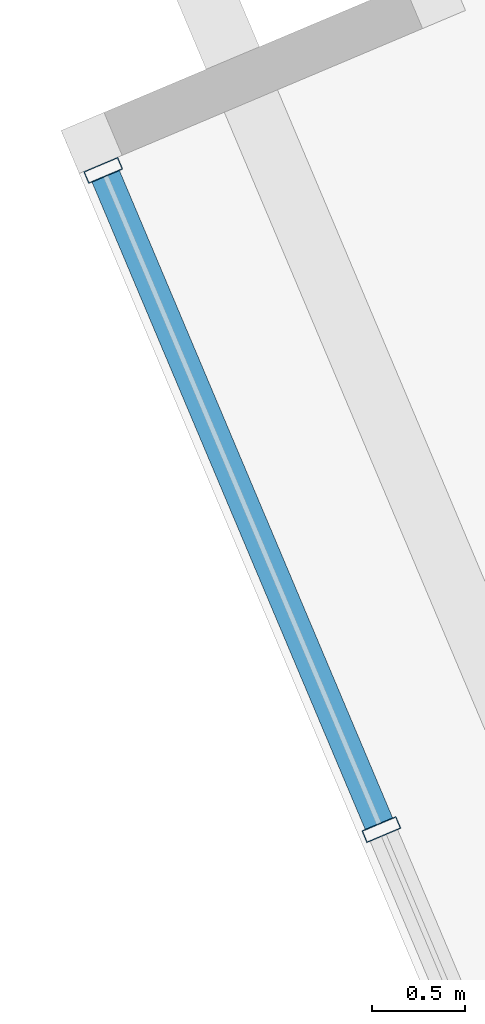
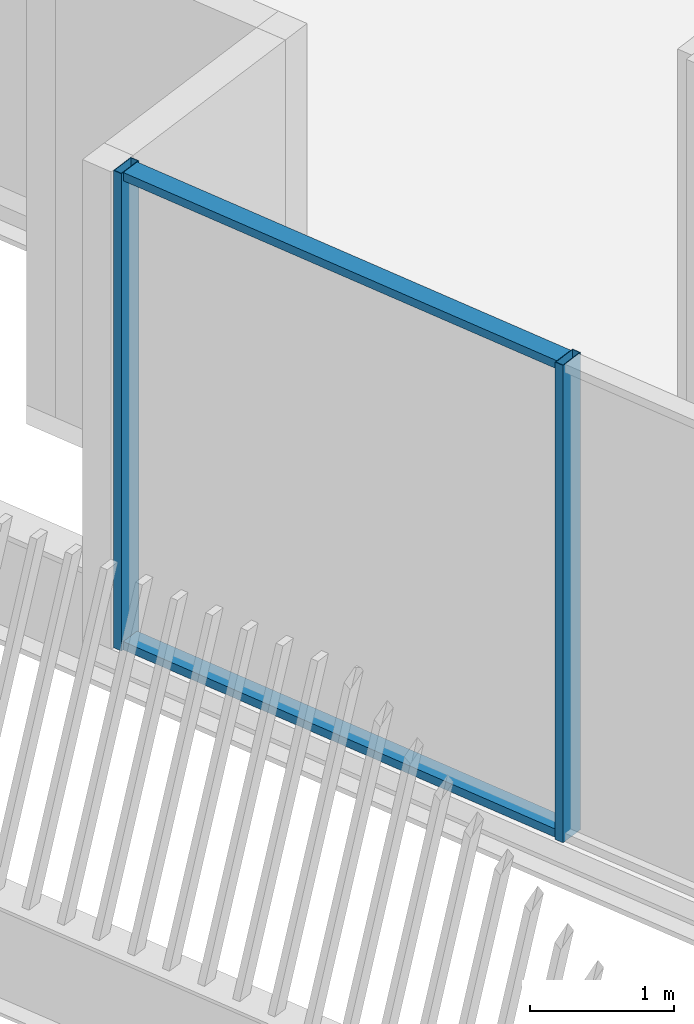
# One storey, part 6 of 35: 4 members, 1 element without a shape of its own.
"""IFC4 building model written with IfcOpenShell, lengths in metres."""

import ifcopenshell
import ifcopenshell.guid

model = None  # the IFC model being written
_history = None  # IfcOwnerHistory: only IFC2X3 demands one
_inside = {}  # id of a spatial element -> (the spatial element, [elements in it])
_under = {}  # id of a project, library or spatial element -> (it, [spatial elements below it])
_declared = {}  # id of a project -> (the project, [libraries it declares])
_typed = {}  # id of a type object -> (the type object, [elements of that type])
_made_of = {}  # id of a material, layer set ... -> (it, [elements and type objects made of it])


def new_model(schema):
    """Start an empty IFC model of exactly this schema.

    Asked for "IFC4X3", IfcOpenShell would pick the latest addendum, in which some entities
    have other attributes; the version numbers below select the first issue.
    IFC2X3 requires an IfcOwnerHistory on every rooted entity: one is made here for all.
    """
    global model, _history
    if schema == "IFC4X3":
        model = ifcopenshell.file(schema_version=(4, 3, 0, 0))
    else:
        model = ifcopenshell.file(schema=schema)
    _inside.clear()
    _under.clear()
    _declared.clear()
    _typed.clear()
    _made_of.clear()
    _history = None
    if model.schema == "IFC2X3":
        org = make("IfcOrganization", Name="unknown")
        user = make(
            "IfcPersonAndOrganization",
            ThePerson=make("IfcPerson", FamilyName="unknown"),
            TheOrganization=org,
        )
        app = make(
            "IfcApplication",
            ApplicationDeveloper=org,
            Version="unknown",
            ApplicationFullName="unknown",
            ApplicationIdentifier="unknown",
        )
        _history = make(
            "IfcOwnerHistory",
            OwningUser=user,
            OwningApplication=app,
            ChangeAction="ADDED",
            CreationDate=0,
        )
    return model


def make(cls, **values):
    """One entity of the class cls with the attributes given. An attribute that is None is left unset."""
    return model.create_entity(
        cls, **{name: value for name, value in values.items() if value is not None}
    )


def rooted(cls, **values):
    """An entity with a GlobalId (a new one), such as an element, a storey or a relation."""
    return make(cls, GlobalId=ifcopenshell.guid.new(), OwnerHistory=_history, **values)


def si_unit(unit_type, name, prefix=None):
    """IfcSIUnit, for example si_unit("LENGTHUNIT", "METRE", prefix="MILLI")."""
    return make("IfcSIUnit", UnitType=unit_type, Prefix=prefix, Name=name)


def assignment(units):
    """IfcUnitAssignment: the units of a project."""
    return None if units is None else make("IfcUnitAssignment", Units=units)


def point(xyz):
    """IfcCartesianPoint."""
    return None if xyz is None else make("IfcCartesianPoint", Coordinates=xyz)


def direction(xyz):
    """IfcDirection."""
    return None if xyz is None else make("IfcDirection", DirectionRatios=xyz)


def frame(location, z_axis=None, x_axis=None):
    """IfcAxis2Placement3D, a coordinate frame: its origin and axes. An axis left out is left unset."""
    return make(
        "IfcAxis2Placement3D",
        Location=point(location),
        Axis=direction(z_axis),
        RefDirection=direction(x_axis),
    )


def frame_2d(location, x_axis=None):
    """IfcAxis2Placement2D, a coordinate frame in the plane: its origin and x axis."""
    return make(
        "IfcAxis2Placement2D", Location=point(location), RefDirection=direction(x_axis)
    )


def origin():
    """The frame at (0, 0, 0) with its axes left unset."""
    return frame((0.0, 0.0, 0.0))


def origin_2d():
    """The frame at (0, 0) in the plane with its x axis left unset."""
    return frame_2d((0.0, 0.0))


def place(relative_to, where):
    """IfcLocalPlacement: puts the frame where relative to a parent placement (None: the world)."""
    return make(
        "IfcLocalPlacement", PlacementRelTo=relative_to, RelativePlacement=where
    )


def context(
    kind, dimensions, precision=None, world=None, true_north=None, identifier=None
):
    """IfcGeometricRepresentationContext, for example the 3D "Model" context."""
    return make(
        "IfcGeometricRepresentationContext",
        ContextIdentifier=identifier,
        ContextType=kind,
        CoordinateSpaceDimension=dimensions,
        Precision=precision,
        WorldCoordinateSystem=world,
        TrueNorth=true_north,
    )


def subcontext(parent, identifier, kind, view, scale=None):
    """IfcGeometricRepresentationSubContext, for example "Body" below "Model"."""
    return make(
        "IfcGeometricRepresentationSubContext",
        ContextIdentifier=identifier,
        ContextType=kind,
        ParentContext=parent,
        TargetScale=scale,
        TargetView=view,
    )


def project(units=None, contexts=None):
    """IfcProject with its units and contexts."""
    return rooted(
        "IfcProject",
        Name="project",
        RepresentationContexts=contexts,
        UnitsInContext=assignment(units),
    )


def spatial(cls, under=None, at=None, **own):
    """A site, building, storey or space (cls), placed at a placement, below another one or the project."""
    s = rooted(cls, ObjectPlacement=at, **own)
    if under is not None:
        _under.setdefault(under.id(), (under, []))[1].append(s)
    return s


def profile(cls, at=None, kind="AREA", **sizes):
    """A parametric profile (cls). Its sizes go by their IFC names, for example OverallWidth=200.0."""
    return make(cls, ProfileType=kind, Position=at, **sizes)


def hollow_rectangle(**sizes):
    """IfcRectangleHollowProfileDef."""
    return profile("IfcRectangleHollowProfileDef", **sizes)


def extrude(swept, where, along, depth):
    """IfcExtrudedAreaSolid: the profile swept, set in the frame where, extruded along a direction by depth."""
    return make(
        "IfcExtrudedAreaSolid",
        SweptArea=swept,
        Position=where,
        ExtrudedDirection=direction(along),
        Depth=depth,
    )


def shape(context_of_items, identifier, shape_type, items):
    """IfcShapeRepresentation: the items that make up one representation, for example the "Body"."""
    return make(
        "IfcShapeRepresentation",
        ContextOfItems=context_of_items,
        RepresentationIdentifier=identifier,
        RepresentationType=shape_type,
        Items=items,
    )


def material(Name=None, Category=None):
    """IfcMaterial."""
    return make("IfcMaterial", Name=Name, Category=Category)


def layer(
    of_material, thickness, ventilated=None, Name=None, Category=None, Priority=None
):
    """IfcMaterialLayer: one layer of a wall or slab, of a material (None: an air gap)."""
    return make(
        "IfcMaterialLayer",
        Material=of_material,
        LayerThickness=thickness,
        IsVentilated=ventilated,
        Name=Name,
        Category=Category,
        Priority=Priority,
    )


def layer_set(layers, Name=None):
    """IfcMaterialLayerSet."""
    return make("IfcMaterialLayerSet", MaterialLayers=layers, LayerSetName=Name)


def material_profile(
    of_material, cross_section, Name=None, Category=None, Priority=None
):
    """IfcMaterialProfile: a cross section and its material."""
    return make(
        "IfcMaterialProfile",
        Name=Name,
        Material=of_material,
        Profile=cross_section,
        Priority=Priority,
        Category=Category,
    )


def profile_set(profiles, Name=None, composite=None):
    """IfcMaterialProfileSet."""
    return make(
        "IfcMaterialProfileSet",
        Name=Name,
        MaterialProfiles=profiles,
        CompositeProfile=composite,
    )


def made_of(thing, what):
    """Note that an element or type object is made of a material, layer set ...; save() writes the relation."""
    if what is not None:
        _made_of.setdefault(what.id(), (what, []))[1].append(thing)
    return thing


def type_object(cls, material=None, **own):
    """A type object (cls), such as IfcWallType, which elements share."""
    return made_of(rooted(cls, **own), material)


def element(
    cls,
    number,
    at=None,
    inside=None,
    cuts=None,
    type_object=None,
    material=None,
    context=None,
    identifier="Body",
    shape_type=None,
    held_by="IfcProductDefinitionShape",
    body=None,
    shapes=None,
    **own,
):
    """One element of the class cls, such as IfcWall. Its Tag is "e" and its number.

    at: its placement. inside: the storey or other place that contains it. cuts: it is an
    opening in that element (IfcRelVoidsElement). A single representation is given by context,
    identifier, shape_type and body (its items); several are given by shapes. held_by: the class
    of the entity that holds the representations. save() writes the other relations.
    """
    e = rooted(cls, Tag="e%d" % number, ObjectPlacement=at, **own)
    if body is not None:
        shapes = [shape(context, identifier, shape_type, body)]
    if shapes is not None:
        e.Representation = make(held_by, Representations=shapes)
    if inside is not None:
        _inside.setdefault(inside.id(), (inside, []))[1].append(e)
    if cuts is not None:
        rooted(
            "IfcRelVoidsElement", RelatingBuildingElement=cuts, RelatedOpeningElement=e
        )
    if type_object is not None:
        _typed.setdefault(type_object.id(), (type_object, []))[1].append(e)
    return made_of(e, material)


def aggregate(whole, parts):
    """IfcRelAggregates: a whole, such as a stair, and the parts it consists of."""
    return rooted("IfcRelAggregates", RelatingObject=whole, RelatedObjects=parts)


def save(model, path):
    """Write the relations noted so far, then the file.

    IfcRelAggregates (storeys below a building ...), IfcRelContainedInSpatialStructure (elements
    in a storey), IfcRelDefinesByType, IfcRelAssociatesMaterial and IfcRelDeclares: one each for
    every whole, place, type object, material and project.
    """
    for whole, parts in _under.values():
        aggregate(whole, parts)
    for where, things in _inside.values():
        rooted(
            "IfcRelContainedInSpatialStructure",
            RelatedElements=things,
            RelatingStructure=where,
        )
    for kind, things in _typed.values():
        rooted("IfcRelDefinesByType", RelatedObjects=things, RelatingType=kind)
    for what, things in _made_of.values():
        rooted("IfcRelAssociatesMaterial", RelatedObjects=things, RelatingMaterial=what)
    for by, libraries in _declared.values():
        rooted("IfcRelDeclares", RelatingContext=by, RelatedDefinitions=libraries)
    model.write(path)


model = new_model("IFC4")

# Units and contexts
model_context = context("Model", 3, precision=1e-05, world=origin(), true_north=direction((0.0, 1.0)))
body_context = subcontext(model_context, "Body", "Model", "MODEL_VIEW")
ifc_project = project(units=[si_unit("LENGTHUNIT", "METRE"), si_unit("AREAUNIT", "SQUARE_METRE"), si_unit("VOLUMEUNIT", "CUBIC_METRE"), si_unit("PLANEANGLEUNIT", "RADIAN"), si_unit("MASSUNIT", "GRAM", prefix="KILO")], contexts=[model_context])

# Site, building, storey
site_placement = place(None, origin())
site = spatial("IfcSite", under=ifc_project, at=site_placement, CompositionType="ELEMENT")
building_placement = place(site_placement, origin())
building = spatial("IfcBuilding", under=site, at=building_placement, Name="Tarsis Ring Headquarters", CompositionType="ELEMENT")
storey_placement = place(building_placement, frame((0.0, 0.0, 377.60009765625)))
storey = spatial("IfcBuildingStorey", under=building, at=storey_placement, Name="L89", CompositionType="ELEMENT", Elevation=377.60009765625)

# Curtain wall, members
ifc_material_1 = material(Name="Aluminium curtain wall", Category="aluminium")
ifc_layer = layer(ifc_material_1, 0.199951171875)
ifc_layer_set = layer_set([ifc_layer], Name="Curtain wall executive tip")
curtain_wall_type = type_object("IfcCurtainWallType", Name="Curtain wall executive tip", PredefinedType="NOTDEFINED", material=ifc_layer_set)
curtain_wall_placement = place(storey_placement, origin())
curtain_wall = element("IfcCurtainWall", 1, at=curtain_wall_placement, inside=storey, type_object=curtain_wall_type, Name="Curtain wall L89-36", PredefinedType="NOTDEFINED")
ifc_material_2 = material(Name="Aluminium mullion", Category="aluminium")
ifc_material_profile_1 = material_profile(ifc_material_2, hollow_rectangle(XDim=0.199951171875, YDim=0.070068359375, WallThickness=0.0048828125, at=origin_2d()), Name="RHS 200x70x5")
ifc_profile_set_1 = profile_set([ifc_material_profile_1], Name="Aluminium mullion")
member_type_1 = type_object("IfcMemberType", Name="Curtain wall mullion executive tip RHS 200x70x5", PredefinedType="MULLION", material=ifc_profile_set_1)
member_1_placement = place(storey_placement, frame((-39.7373046875, -8.3955078125, 0.0), z_axis=(0.0, 0.0, 1.0), x_axis=(0.921321171215, 0.388802391289, 0.0)))
member_1 = element("IfcMember", 2, at=member_1_placement, type_object=member_type_1, Name="CW-E mullion 1", PredefinedType="MULLION", context=body_context, shape_type="SweptSolid", body=[
    extrude(hollow_rectangle(XDim=0.199951171875, YDim=0.070068359375, WallThickness=0.0048828125, at=origin_2d()), origin(), (0.0, 0.0, 1.0), 4.039794921875),
])
member_2_placement = place(storey_placement, frame((-38.244384765625, -11.933349609375, 0.0), z_axis=(0.0, 0.0, 1.0), x_axis=(0.921321171215, 0.388802391289, 0.0)))
member_2 = element("IfcMember", 3, at=member_2_placement, type_object=member_type_1, Name="CW-E mullion 2", PredefinedType="MULLION", context=body_context, shape_type="SweptSolid", body=[
    extrude(hollow_rectangle(XDim=0.199951171875, YDim=0.070068359375, WallThickness=0.0048828125, at=origin_2d()), origin(), (0.0, 0.0, 1.0), 4.039794921875),
])
ifc_material_3 = material(Name="Aluminium transom", Category="aluminium")
ifc_material_profile_2 = material_profile(ifc_material_3, hollow_rectangle(XDim=0.159912109375, YDim=0.070068359375, WallThickness=0.0048828125, at=origin_2d()), Name="RHS 160x70x5")
ifc_profile_set_2 = profile_set([ifc_material_profile_2], Name="Aluminium transom")
member_type_2 = type_object("IfcMemberType", Name="Curtain wall transom executive tip RHS 160x70x5", PredefinedType="USERDEFINED", material=ifc_profile_set_2)
member_3_placement = place(storey_placement, frame((-39.7236328125, -8.427734375, 0.034912109375), z_axis=(0.388809592108, -0.921318132398, 0.0), x_axis=(0.921318132398, 0.388809592108, 0.0)))
member_3 = element("IfcMember", 4, at=member_3_placement, type_object=member_type_2, Name="CW-E transom 1.1", ObjectType="TRANSOM", PredefinedType="USERDEFINED", context=body_context, shape_type="SweptSolid", body=[
    extrude(hollow_rectangle(XDim=0.159912109375, YDim=0.070068359375, WallThickness=0.0048828125, at=origin_2d()), origin(), (0.0, 0.0, 1.0), 3.77001953125),
])
member_4_placement = place(storey_placement, frame((-39.7236328125, -8.427734375, 4.0048828125), z_axis=(0.388809592108, -0.921318132398, 0.0), x_axis=(0.921318132398, 0.388809592108, 0.0)))
member_4 = element("IfcMember", 5, at=member_4_placement, type_object=member_type_2, Name="CW-E transom 1.2", ObjectType="TRANSOM", PredefinedType="USERDEFINED", context=body_context, shape_type="SweptSolid", body=[
    extrude(hollow_rectangle(XDim=0.159912109375, YDim=0.070068359375, WallThickness=0.0048828125, at=origin_2d()), origin(), (0.0, 0.0, 1.0), 3.77001953125),
])
aggregate(curtain_wall, [member_1, member_2, member_3, member_4])

save(model, "model.ifc")
